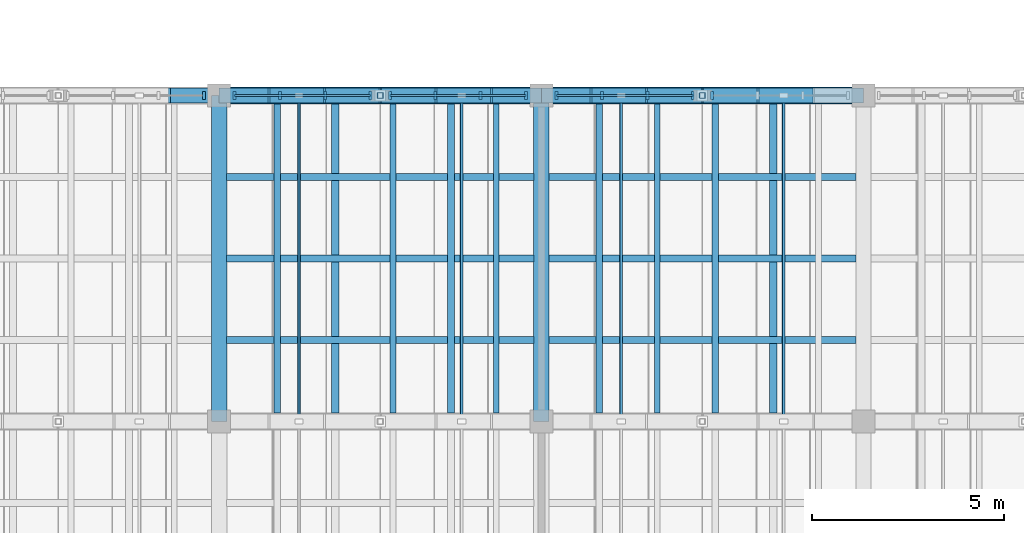
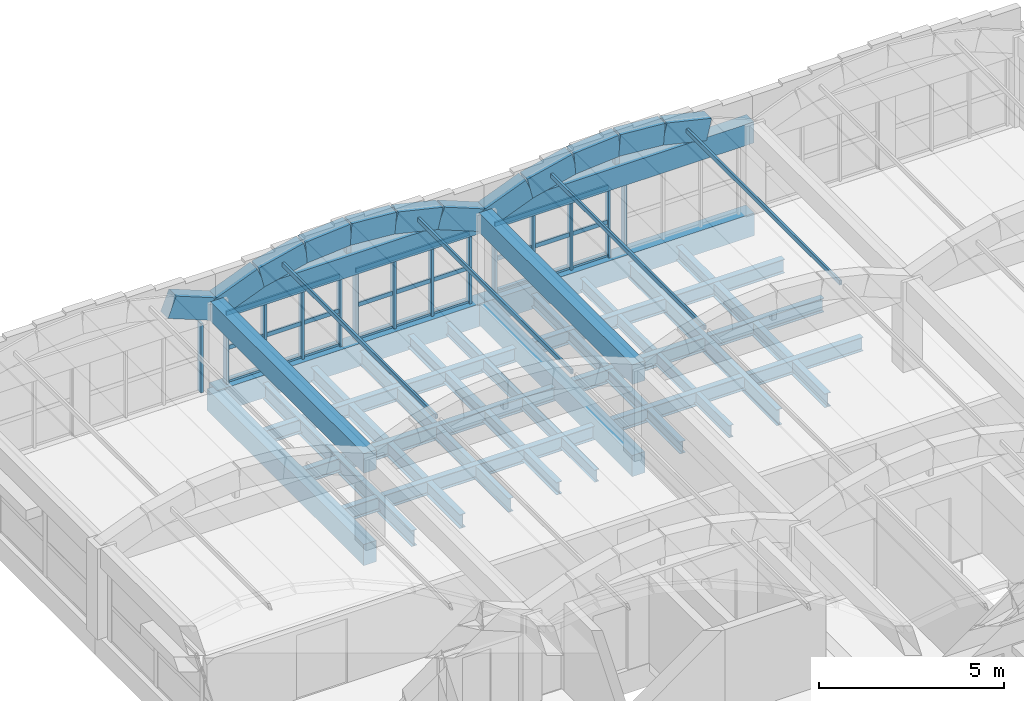
# One storey, part 12 of 40: 41 members, 23 beams, 5 elements without a shape of their own.
"""IFC4 building model written with IfcOpenShell, lengths in metres."""

from ifc_helpers import new_model, si_unit, direction, frame, origin, origin_2d, place, context, subcontext, project, spatial, rectangle, hollow_rectangle, i_section, extrude, material, layer, layer_set, material_profile, profile_set, type_object, element, aggregate, save


model = new_model("IFC4")

# Units and contexts
model_context = context("Model", 3, precision=1e-05, world=origin(), true_north=direction((0.0, 1.0)))
body_context = subcontext(model_context, "Body", "Model", "MODEL_VIEW")
ifc_project = project(units=[si_unit("LENGTHUNIT", "METRE"), si_unit("AREAUNIT", "SQUARE_METRE"), si_unit("VOLUMEUNIT", "CUBIC_METRE"), si_unit("PLANEANGLEUNIT", "RADIAN"), si_unit("MASSUNIT", "GRAM", prefix="KILO")], contexts=[model_context])

# Site, building, storey
site_placement = place(None, origin())
site = spatial("IfcSite", under=ifc_project, at=site_placement, CompositionType="ELEMENT")
building_placement = place(site_placement, origin())
building = spatial("IfcBuilding", under=site, at=building_placement, Name="Trellovar Central Fire Station", CompositionType="ELEMENT")
storey_placement = place(building_placement, frame((0.0, 0.0, 12.75)))
storey = spatial("IfcBuildingStorey", under=building, at=storey_placement, Name="L04", CompositionType="ELEMENT", Elevation=12.75)

# Beams
ifc_material_1 = material(Name="Concrete C40/50", Category="concrete")
ifc_material_profile_1 = material_profile(ifc_material_1, rectangle(XDim=0.449951171875, YDim=0.75, at=origin_2d()), Name="RC450X750")
ifc_profile_set_1 = profile_set([ifc_material_profile_1], Name="Concrete C40/50")
beam_type_1 = type_object("IfcBeamType", Name="BM-G2", PredefinedType="BEAM", material=ifc_profile_set_1)
beam_1_placement = place(storey_placement, frame((113.89990234375, 33.0, -0.375), z_axis=(1.0, 0.0, 0.0), x_axis=(0.0, 1.0, 0.0)))
element("IfcBeam", 1, at=beam_1_placement, inside=storey, type_object=beam_type_1, Name="L04 beam G-2", PredefinedType="BEAM", context=body_context, shape_type="SweptSolid", body=[
    extrude(rectangle(XDim=0.449951171875, YDim=0.75, at=origin_2d()), origin(), (0.0, 0.0, 1.0), 8.400146484375),
])
beam_2_placement = place(storey_placement, frame((122.300048828125, 33.0, -0.375), z_axis=(1.0, 0.0, 0.0), x_axis=(0.0, 1.0, 0.0)))
element("IfcBeam", 2, at=beam_2_placement, inside=storey, type_object=beam_type_1, Name="L04 beam G-2", PredefinedType="BEAM", context=body_context, shape_type="SweptSolid", body=[
    extrude(rectangle(XDim=0.449951171875, YDim=0.75, at=origin_2d()), origin(), (0.0, 0.0, 1.0), 8.39990234375),
])
ifc_material_2 = material(Name="Concrete C40/50", Category="concrete")
ifc_material_profile_2 = material_profile(ifc_material_2, rectangle(XDim=0.39990234375, YDim=0.699951171875, at=origin_2d()), Name="RC400X700")
ifc_profile_set_2 = profile_set([ifc_material_profile_2], Name="Concrete C40/50")
beam_type_2 = type_object("IfcBeamType", Name="BM-G3", PredefinedType="BEAM", material=ifc_profile_set_2)
for number, where, z_axis, x_axis, name in (
    (3, (113.89990234375, 24.5, -0.35009765625), (0.0, 1.0, 0.0), (-1.0, 0.0, 0.0), "L04 beam G-3"),
    (4, (122.300048828125, 24.5, -0.35009765625), (0.0, 1.0, 0.0), (-1.0, 0.0, 0.0), "L04 beam G-3"),
):
    element("IfcBeam", number, at=place(storey_placement, frame(where, z_axis=z_axis, x_axis=x_axis)), inside=storey, type_object=beam_type_2, Name=name, PredefinedType="BEAM", context=body_context, shape_type="SweptSolid", body=[
        extrude(rectangle(XDim=0.39990234375, YDim=0.699951171875, at=origin_2d()), origin(), (0.0, 0.0, 1.0), 8.5),
    ])
beam_3_placement = place(storey_placement, frame((113.89990234375, 33.0, 2.64990234375), z_axis=(1.0, 0.0, 0.0), x_axis=(0.0, 1.0, 0.0)))
element("IfcBeam", 5, at=beam_3_placement, inside=storey, type_object=beam_type_2, Name="L04 beam G-3", PredefinedType="BEAM", context=body_context, shape_type="SweptSolid", body=[
    extrude(rectangle(XDim=0.39990234375, YDim=0.699951171875, at=origin_2d()), origin(), (0.0, 0.0, 1.0), 8.400146484375),
])
beam_4_placement = place(storey_placement, frame((122.300048828125, 33.0, 2.64990234375), z_axis=(1.0, 0.0, 0.0), x_axis=(0.0, 1.0, 0.0)))
element("IfcBeam", 6, at=beam_4_placement, inside=storey, type_object=beam_type_2, Name="L04 beam G-3", PredefinedType="BEAM", context=body_context, shape_type="SweptSolid", body=[
    extrude(rectangle(XDim=0.39990234375, YDim=0.699951171875, at=origin_2d()), origin(), (0.0, 0.0, 1.0), 8.39990234375),
])
ifc_material_3 = material(Name="Concrete C40/50", Category="concrete")
ifc_material_profile_3 = material_profile(ifc_material_3, rectangle(XDim=0.39990234375, YDim=0.64990234375, at=origin_2d()), Name="RC400X650")
ifc_profile_set_3 = profile_set([ifc_material_profile_3], Name="Concrete C40/50")
beam_type_3 = type_object("IfcBeamType", Name="BM-G4", PredefinedType="BEAM", material=ifc_profile_set_3)
for number, where, z_axis, x_axis, name in (
    (7, (113.89990234375, 24.5, 2.675048828125), (0.0, 1.0, 0.0), (-1.0, 0.0, 0.0), "L04 beam G-4"),
    (8, (122.300048828125, 24.5, 2.675048828125), (0.0, 1.0, 0.0), (-1.0, 0.0, 0.0), "L04 beam G-4"),
):
    element("IfcBeam", number, at=place(storey_placement, frame(where, z_axis=z_axis, x_axis=x_axis)), inside=storey, type_object=beam_type_3, Name=name, PredefinedType="BEAM", context=body_context, shape_type="SweptSolid", body=[
        extrude(rectangle(XDim=0.39990234375, YDim=0.64990234375, at=origin_2d()), origin(), (0.0, 0.0, 1.0), 8.5),
    ])
ifc_material_4 = material(Name="Steel ASTM A992 Grade 50", Category="steel")
ifc_material_profile_4 = material_profile(ifc_material_4, i_section(OverallWidth=0.15283203125, OverallDepth=0.45458984375, WebThickness=0.008056640625, FlangeThickness=0.01318359375, FilletRadius=0.0126953125, at=origin_2d()), Name="W18X40")
ifc_profile_set_4 = profile_set([ifc_material_profile_4], Name="Steel ASTM A992 Grade 50")
beam_type_4 = type_object("IfcBeamType", Name="BM-SW10", PredefinedType="JOIST", material=ifc_profile_set_4)
beam_5_placement = place(storey_placement, frame((118.43603515625, 24.719970703125, -0.477294921875), z_axis=(0.0, 1.0, 0.0), x_axis=(-1.0, 0.0, 0.0)))
element("IfcBeam", 9, at=beam_5_placement, inside=storey, type_object=beam_type_4, Name="L04 secondary steel deck joist", PredefinedType="JOIST", context=body_context, shape_type="SweptSolid", body=[
    extrude(i_section(OverallWidth=0.15283203125, OverallDepth=0.45458984375, WebThickness=0.008056640625, FlangeThickness=0.01318359375, FilletRadius=0.0126953125, at=origin_2d()), origin(), (0.0, 0.0, 1.0), 8.06005859375),
])
ifc_material_5 = material(Name="Steel ASTM A992 Grade 50", Category="steel")
ifc_material_profile_5 = material_profile(ifc_material_5, i_section(OverallWidth=0.177490234375, OverallDepth=0.40380859375, WebThickness=0.007568359375, FlangeThickness=0.010986328125, FilletRadius=0.011474609375, at=origin_2d()), Name="W16X36")
ifc_profile_set_5 = profile_set([ifc_material_profile_5], Name="Steel ASTM A992 Grade 50")
beam_type_5 = type_object("IfcBeamType", Name="BM-SW11", PredefinedType="JOIST", material=ifc_profile_set_5)
for number, where, z_axis, x_axis, name in (
    (10, (119.947998046875, 24.719970703125, -0.451904296875), (0.0, 1.0, 0.0), (-1.0, 0.0, 0.0), "L04 secondary steel deck joist"),
    (11, (123.81201171875, 24.719970703125, -0.451904296875), (0.0, 1.0, 0.0), (-1.0, 0.0, 0.0), "L04 secondary steel deck joist"),
):
    element("IfcBeam", number, at=place(storey_placement, frame(where, z_axis=z_axis, x_axis=x_axis)), inside=storey, type_object=beam_type_5, Name=name, PredefinedType="JOIST", context=body_context, shape_type="SweptSolid", body=[
        extrude(i_section(OverallWidth=0.177490234375, OverallDepth=0.40380859375, WebThickness=0.007568359375, FlangeThickness=0.010986328125, FilletRadius=0.011474609375, at=origin_2d()), origin(), (0.0, 0.0, 1.0), 8.06005859375),
    ])
ifc_material_6 = material(Name="Steel ASTM A992 Grade 50", Category="steel")
ifc_material_profile_6 = material_profile(ifc_material_6, i_section(OverallWidth=0.140380859375, OverallDepth=0.4033203125, WebThickness=0.007080078125, FlangeThickness=0.01123046875, FilletRadius=0.011474609375, at=origin_2d()), Name="W16X31")
ifc_profile_set_6 = profile_set([ifc_material_profile_6], Name="Steel ASTM A992 Grade 50")
beam_type_6 = type_object("IfcBeamType", Name="BM-SW12", PredefinedType="JOIST", material=ifc_profile_set_6)
for number, where, z_axis, x_axis, name in (
    (12, (121.1240234375, 24.719970703125, -0.45166015625), (0.0, 1.0, 0.0), (-1.0, 0.0, 0.0), "L04 secondary steel deck joist"),
    (13, (125.323974609375, 24.719970703125, -0.45166015625), (0.0, 1.0, 0.0), (-1.0, 0.0, 0.0), "L04 secondary steel deck joist"),
):
    element("IfcBeam", number, at=place(storey_placement, frame(where, z_axis=z_axis, x_axis=x_axis)), inside=storey, type_object=beam_type_6, Name=name, PredefinedType="JOIST", context=body_context, shape_type="SweptSolid", body=[
        extrude(i_section(OverallWidth=0.140380859375, OverallDepth=0.4033203125, WebThickness=0.007080078125, FlangeThickness=0.01123046875, FilletRadius=0.011474609375, at=origin_2d()), origin(), (0.0, 0.0, 1.0), 8.06005859375),
    ])
ifc_material_7 = material(Name="Steel ASTM A992 Grade 50", Category="steel")
ifc_material_profile_7 = material_profile(ifc_material_7, i_section(OverallWidth=0.166015625, OverallDepth=0.529052734375, WebThickness=0.009765625, FlangeThickness=0.013671875, FilletRadius=0.013916015625, at=origin_2d()), Name="W21X50")
ifc_profile_set_7 = profile_set([ifc_material_profile_7], Name="Steel ASTM A992 Grade 50")
beam_type_7 = type_object("IfcBeamType", Name="BM-SW8", PredefinedType="JOIST", material=ifc_profile_set_7)
for number, where, z_axis, x_axis, name in (
    (14, (115.412109375, 24.719970703125, -0.514404296875), (0.0, 1.0, 0.0), (-1.0, 0.0, 0.0), "L04 secondary steel deck joist"),
    (15, (126.8359375, 24.719970703125, -0.514404296875), (0.0, 1.0, 0.0), (-1.0, 0.0, 0.0), "L04 secondary steel deck joist"),
):
    element("IfcBeam", number, at=place(storey_placement, frame(where, z_axis=z_axis, x_axis=x_axis)), inside=storey, type_object=beam_type_7, Name=name, PredefinedType="JOIST", context=body_context, shape_type="SweptSolid", body=[
        extrude(i_section(OverallWidth=0.166015625, OverallDepth=0.529052734375, WebThickness=0.009765625, FlangeThickness=0.013671875, FilletRadius=0.013916015625, at=origin_2d()), origin(), (0.0, 0.0, 1.0), 8.06005859375),
    ])
ifc_material_8 = material(Name="Steel ASTM A992 Grade 50", Category="steel")
ifc_material_profile_8 = material_profile(ifc_material_8, i_section(OverallWidth=0.1904296875, OverallDepth=0.457275390625, WebThickness=0.009033203125, FlangeThickness=0.014404296875, FilletRadius=0.0126953125, at=origin_2d()), Name="W18X50")
ifc_profile_set_8 = profile_set([ifc_material_profile_8], Name="Steel ASTM A992 Grade 50")
beam_type_8 = type_object("IfcBeamType", Name="BM-SW9", PredefinedType="JOIST", material=ifc_profile_set_8)
for number, where, z_axis, x_axis, name in (
    (16, (114.094970703125, 26.625, -0.478515625), (1.0, 0.0, 0.0), (0.0, 1.0, 0.0), "L04 beam SB-9"),
    (17, (114.094970703125, 28.75, -0.478515625), (1.0, 0.0, 0.0), (0.0, 1.0, 0.0), "L04 beam SB-9"),
    (18, (114.094970703125, 30.875, -0.478515625), (1.0, 0.0, 0.0), (0.0, 1.0, 0.0), "L04 beam SB-9"),
):
    element("IfcBeam", number, at=place(storey_placement, frame(where, z_axis=z_axis, x_axis=x_axis)), inside=storey, type_object=beam_type_8, Name=name, PredefinedType="JOIST", context=body_context, shape_type="SweptSolid", body=[
        extrude(i_section(OverallWidth=0.1904296875, OverallDepth=0.457275390625, WebThickness=0.009033203125, FlangeThickness=0.014404296875, FilletRadius=0.0126953125, at=origin_2d()), origin(), (0.0, 0.0, 1.0), 8.010009765625),
    ])
for number, where, z_axis, x_axis, name in (
    (19, (122.4951171875, 26.625, -0.478515625), (1.0, 0.0, 0.0), (0.0, 1.0, 0.0), "L04 beam SB-9"),
    (20, (122.4951171875, 28.75, -0.478515625), (1.0, 0.0, 0.0), (0.0, 1.0, 0.0), "L04 beam SB-9"),
    (21, (122.4951171875, 30.875, -0.478515625), (1.0, 0.0, 0.0), (0.0, 1.0, 0.0), "L04 beam SB-9"),
):
    element("IfcBeam", number, at=place(storey_placement, frame(where, z_axis=z_axis, x_axis=x_axis)), inside=storey, type_object=beam_type_8, Name=name, PredefinedType="JOIST", context=body_context, shape_type="SweptSolid", body=[
        extrude(i_section(OverallWidth=0.1904296875, OverallDepth=0.457275390625, WebThickness=0.009033203125, FlangeThickness=0.014404296875, FilletRadius=0.0126953125, at=origin_2d()), origin(), (0.0, 0.0, 1.0), 8.009765625),
    ])
for number, where, z_axis, x_axis, name in (
    (22, (116.924072265625, 24.719970703125, -0.478515625), (0.0, 1.0, 0.0), (-1.0, 0.0, 0.0), "L04 secondary steel deck joist"),
    (23, (128.347900390625, 24.719970703125, -0.478515625), (0.0, 1.0, 0.0), (-1.0, 0.0, 0.0), "L04 secondary steel deck joist"),
):
    element("IfcBeam", number, at=place(storey_placement, frame(where, z_axis=z_axis, x_axis=x_axis)), inside=storey, type_object=beam_type_8, Name=name, PredefinedType="JOIST", context=body_context, shape_type="SweptSolid", body=[
        extrude(i_section(OverallWidth=0.1904296875, OverallDepth=0.457275390625, WebThickness=0.009033203125, FlangeThickness=0.014404296875, FilletRadius=0.0126953125, at=origin_2d()), origin(), (0.0, 0.0, 1.0), 8.06005859375),
    ])

# Curtain wall, member
ifc_material_9 = material(Name="Thermally broken bronze anodized aluminum", Category="aluminium")
ifc_layer_1 = layer(ifc_material_9, 0.159912109375)
ifc_layer_set_1 = layer_set([ifc_layer_1], Name="Thermally broken bronze anodized aluminum")
curtain_wall_type_1 = type_object("IfcCurtainWallType", Name="CW-09", PredefinedType="NOTDEFINED", material=ifc_layer_set_1)
curtain_wall_1_placement = place(storey_placement, origin())
curtain_wall_1 = element("IfcCurtainWall", 24, at=curtain_wall_1_placement, inside=storey, type_object=curtain_wall_type_1, Name="L04 curtain wall CW-9", PredefinedType="NOTDEFINED")
ifc_material_10 = material(Name="Thermally broken bronze anodized aluminum", Category="aluminium")
ifc_material_profile_9 = material_profile(ifc_material_10, rectangle(XDim=0.074951171875, YDim=0.199951171875, at=origin_2d()), Name="ALU75X200")
ifc_profile_set_9 = profile_set([ifc_material_profile_9], Name="Thermally broken bronze anodized aluminum")
member_type_1 = type_object("IfcMemberType", Name="CWM-1", PredefinedType="MULLION", material=ifc_profile_set_9)
member_1_placement = place(storey_placement, frame((113.5, 33.0, 0.0), z_axis=(0.0, 0.0, 1.0), x_axis=(1.0, 0.0, 0.0)))
member_1 = element("IfcMember", 25, at=member_1_placement, type_object=member_type_1, Name="CW3-L04-0091 mullion 1", PredefinedType="MULLION", context=body_context, shape_type="SweptSolid", body=[
    extrude(rectangle(XDim=0.074951171875, YDim=0.199951171875, at=origin_2d()), origin(), (0.0, 0.0, 1.0), 2.2900390625),
])
aggregate(curtain_wall_1, [member_1])

# Curtain wall, members
curtain_wall_2_placement = place(storey_placement, origin())
curtain_wall_2 = element("IfcCurtainWall", 26, at=curtain_wall_2_placement, inside=storey, type_object=curtain_wall_type_1, Name="L04 curtain wall CW-9", PredefinedType="NOTDEFINED")
member_2_placement = place(storey_placement, frame((121.89990234375, 33.0, 0.0), z_axis=(0.0, 0.0, 1.0), x_axis=(1.0, 0.0, 0.0)))
member_2 = element("IfcMember", 27, at=member_2_placement, type_object=member_type_1, Name="CW3-L04-0093 mullion 1", PredefinedType="MULLION", context=body_context, shape_type="SweptSolid", body=[
    extrude(rectangle(XDim=0.074951171875, YDim=0.199951171875, at=origin_2d()), origin(), (0.0, 0.0, 1.0), 2.2900390625),
])
member_3_placement = place(storey_placement, frame((120.716796875, 33.0, 0.0), z_axis=(0.0, 0.0, 1.0), x_axis=(1.0, 0.0, 0.0)))
member_3 = element("IfcMember", 28, at=member_3_placement, type_object=member_type_1, Name="CW3-L04-0093 mullion 2", PredefinedType="MULLION", context=body_context, shape_type="SweptSolid", body=[
    extrude(rectangle(XDim=0.074951171875, YDim=0.199951171875, at=origin_2d()), origin(), (0.0, 0.0, 1.0), 2.2900390625),
])
member_4_placement = place(storey_placement, frame((119.533203125, 33.0, 0.0), z_axis=(0.0, 0.0, 1.0), x_axis=(1.0, 0.0, 0.0)))
member_4 = element("IfcMember", 29, at=member_4_placement, type_object=member_type_1, Name="CW3-L04-0093 mullion 3", PredefinedType="MULLION", context=body_context, shape_type="SweptSolid", body=[
    extrude(rectangle(XDim=0.074951171875, YDim=0.199951171875, at=origin_2d()), origin(), (0.0, 0.0, 1.0), 2.2900390625),
])
member_5_placement = place(storey_placement, frame((118.35009765625, 33.0, 0.0), z_axis=(0.0, 0.0, 1.0), x_axis=(1.0, 0.0, 0.0)))
member_5 = element("IfcMember", 30, at=member_5_placement, type_object=member_type_1, Name="CW3-L04-0093 mullion 4", PredefinedType="MULLION", context=body_context, shape_type="SweptSolid", body=[
    extrude(rectangle(XDim=0.074951171875, YDim=0.199951171875, at=origin_2d()), origin(), (0.0, 0.0, 1.0), 2.2900390625),
])

ifc_material_11 = material(Name="Thermally broken bronze anodized aluminum", Category="aluminium")
ifc_layer_2 = layer(ifc_material_11, 0.159912109375)
ifc_layer_set_2 = layer_set([ifc_layer_2], Name="Thermally broken bronze anodized aluminum")
curtain_wall_type_2 = type_object("IfcCurtainWallType", Name="CW-10", PredefinedType="NOTDEFINED", material=ifc_layer_set_2)
curtain_wall_3_placement = place(storey_placement, origin())
curtain_wall_3 = element("IfcCurtainWall", 31, at=curtain_wall_3_placement, inside=storey, type_object=curtain_wall_type_2, Name="L04 curtain wall CW-10", PredefinedType="NOTDEFINED")
member_6_placement = place(storey_placement, frame((117.85009765625, 33.0, 0.0), z_axis=(0.0, 0.0, 1.0), x_axis=(1.0, 0.0, 0.0)))
member_6 = element("IfcMember", 32, at=member_6_placement, type_object=member_type_1, Name="CW3-L04-0094 mullion 1", PredefinedType="MULLION", context=body_context, shape_type="SweptSolid", body=[
    extrude(rectangle(XDim=0.074951171875, YDim=0.199951171875, at=origin_2d()), origin(), (0.0, 0.0, 1.0), 2.2900390625),
])
member_7_placement = place(storey_placement, frame((116.666748046875, 33.0, 0.0), z_axis=(0.0, 0.0, 1.0), x_axis=(1.0, 0.0, 0.0)))
member_7 = element("IfcMember", 33, at=member_7_placement, type_object=member_type_1, Name="CW3-L04-0094 mullion 2", PredefinedType="MULLION", context=body_context, shape_type="SweptSolid", body=[
    extrude(rectangle(XDim=0.074951171875, YDim=0.199951171875, at=origin_2d()), origin(), (0.0, 0.0, 1.0), 2.2900390625),
])
member_8_placement = place(storey_placement, frame((115.4833984375, 33.0, 0.0), z_axis=(0.0, 0.0, 1.0), x_axis=(1.0, 0.0, 0.0)))
member_8 = element("IfcMember", 34, at=member_8_placement, type_object=member_type_1, Name="CW3-L04-0094 mullion 3", PredefinedType="MULLION", context=body_context, shape_type="SweptSolid", body=[
    extrude(rectangle(XDim=0.074951171875, YDim=0.199951171875, at=origin_2d()), origin(), (0.0, 0.0, 1.0), 2.2900390625),
])
member_9_placement = place(storey_placement, frame((114.300048828125, 33.0, 0.0), z_axis=(0.0, 0.0, 1.0), x_axis=(1.0, 0.0, 0.0)))
member_9 = element("IfcMember", 35, at=member_9_placement, type_object=member_type_1, Name="CW3-L04-0094 mullion 4", PredefinedType="MULLION", context=body_context, shape_type="SweptSolid", body=[
    extrude(rectangle(XDim=0.074951171875, YDim=0.199951171875, at=origin_2d()), origin(), (0.0, 0.0, 1.0), 2.2900390625),
])

# Curtain wall, member
curtain_wall_4_placement = place(storey_placement, origin())
curtain_wall_4 = element("IfcCurtainWall", 36, at=curtain_wall_4_placement, inside=storey, type_object=curtain_wall_type_1, Name="L04 curtain wall CW-9", PredefinedType="NOTDEFINED")
member_10_placement = place(storey_placement, frame((126.75, 33.0, 0.0), z_axis=(0.0, 0.0, 1.0), x_axis=(1.0, 0.0, 0.0)))
member_10 = element("IfcMember", 37, at=member_10_placement, type_object=member_type_1, Name="CW3-L04-0095 mullion 4", PredefinedType="MULLION", context=body_context, shape_type="SweptSolid", body=[
    extrude(rectangle(XDim=0.074951171875, YDim=0.199951171875, at=origin_2d()), origin(), (0.0, 0.0, 1.0), 2.2900390625),
])
aggregate(curtain_wall_4, [member_10])

# Curtain wall, members
curtain_wall_5_placement = place(storey_placement, origin())
curtain_wall_5 = element("IfcCurtainWall", 38, at=curtain_wall_5_placement, inside=storey, type_object=curtain_wall_type_2, Name="L04 curtain wall CW-10", PredefinedType="NOTDEFINED")
member_11_placement = place(storey_placement, frame((126.25, 33.0, 0.0), z_axis=(0.0, 0.0, 1.0), x_axis=(1.0, 0.0, 0.0)))
member_11 = element("IfcMember", 39, at=member_11_placement, type_object=member_type_1, Name="CW3-L04-0096 mullion 1", PredefinedType="MULLION", context=body_context, shape_type="SweptSolid", body=[
    extrude(rectangle(XDim=0.074951171875, YDim=0.199951171875, at=origin_2d()), origin(), (0.0, 0.0, 1.0), 2.2900390625),
])
member_12_placement = place(storey_placement, frame((125.066650390625, 33.0, 0.0), z_axis=(0.0, 0.0, 1.0), x_axis=(1.0, 0.0, 0.0)))
member_12 = element("IfcMember", 40, at=member_12_placement, type_object=member_type_1, Name="CW3-L04-0096 mullion 2", PredefinedType="MULLION", context=body_context, shape_type="SweptSolid", body=[
    extrude(rectangle(XDim=0.074951171875, YDim=0.199951171875, at=origin_2d()), origin(), (0.0, 0.0, 1.0), 2.2900390625),
])
member_13_placement = place(storey_placement, frame((123.88330078125, 33.0, 0.0), z_axis=(0.0, 0.0, 1.0), x_axis=(1.0, 0.0, 0.0)))
member_13 = element("IfcMember", 41, at=member_13_placement, type_object=member_type_1, Name="CW3-L04-0096 mullion 3", PredefinedType="MULLION", context=body_context, shape_type="SweptSolid", body=[
    extrude(rectangle(XDim=0.074951171875, YDim=0.199951171875, at=origin_2d()), origin(), (0.0, 0.0, 1.0), 2.2900390625),
])
member_14_placement = place(storey_placement, frame((122.699951171875, 33.0, 0.0), z_axis=(0.0, 0.0, 1.0), x_axis=(1.0, 0.0, 0.0)))
member_14 = element("IfcMember", 42, at=member_14_placement, type_object=member_type_1, Name="CW3-L04-0096 mullion 4", PredefinedType="MULLION", context=body_context, shape_type="SweptSolid", body=[
    extrude(rectangle(XDim=0.074951171875, YDim=0.199951171875, at=origin_2d()), origin(), (0.0, 0.0, 1.0), 2.2900390625),
])

# Member
ifc_material_12 = material(Name="Thermally broken bronze anodized aluminum", Category="aluminium")
ifc_material_profile_10 = material_profile(ifc_material_12, rectangle(XDim=0.06005859375, YDim=0.139892578125, at=origin_2d()), Name="ALU60X140")
ifc_profile_set_10 = profile_set([ifc_material_profile_10], Name="Thermally broken bronze anodized aluminum")
member_type_2 = type_object("IfcMemberType", Name="CWT-1", PredefinedType="USERDEFINED", material=ifc_profile_set_10)
member_15_placement = place(storey_placement, frame((121.89990234375, 33.0, 0.0), z_axis=(-1.0, 0.0, 0.0), x_axis=(0.0, -1.0, 0.0)))
member_15 = element("IfcMember", 43, at=member_15_placement, type_object=member_type_2, Name="CW3-L04-0093 transom 1", ObjectType="TRANSOM", PredefinedType="USERDEFINED", context=body_context, shape_type="SweptSolid", body=[
    extrude(rectangle(XDim=0.06005859375, YDim=0.139892578125, at=origin_2d()), origin(), (0.0, 0.0, 1.0), 3.5498046875),
])

member_16_placement = place(storey_placement, frame((121.89990234375, 33.0, 1.14501953125), z_axis=(-1.0, 0.0, 0.0), x_axis=(0.0, -1.0, 0.0)))
member_16 = element("IfcMember", 44, at=member_16_placement, type_object=member_type_2, Name="CW3-L04-0093 transom 2", ObjectType="TRANSOM", PredefinedType="USERDEFINED", context=body_context, shape_type="SweptSolid", body=[
    extrude(rectangle(XDim=0.06005859375, YDim=0.139892578125, at=origin_2d()), origin(), (0.0, 0.0, 1.0), 3.5498046875),
])

member_17_placement = place(storey_placement, frame((121.89990234375, 33.0, 2.2900390625), z_axis=(-1.0, 0.0, 0.0), x_axis=(0.0, -1.0, 0.0)))
member_17 = element("IfcMember", 45, at=member_17_placement, type_object=member_type_2, Name="CW3-L04-0093 transom 3", ObjectType="TRANSOM", PredefinedType="USERDEFINED", context=body_context, shape_type="SweptSolid", body=[
    extrude(rectangle(XDim=0.06005859375, YDim=0.139892578125, at=origin_2d()), origin(), (0.0, 0.0, 1.0), 3.5498046875),
])

aggregate(curtain_wall_2, [member_2, member_3, member_4, member_5, member_15, member_16, member_17])

member_18_placement = place(storey_placement, frame((117.85009765625, 33.0, 0.0), z_axis=(-1.0, 0.0, 0.0), x_axis=(0.0, -1.0, 0.0)))
member_18 = element("IfcMember", 46, at=member_18_placement, type_object=member_type_2, Name="CW3-L04-0094 transom 1", ObjectType="TRANSOM", PredefinedType="USERDEFINED", context=body_context, shape_type="SweptSolid", body=[
    extrude(rectangle(XDim=0.06005859375, YDim=0.139892578125, at=origin_2d()), origin(), (0.0, 0.0, 1.0), 3.550048828125),
])

member_19_placement = place(storey_placement, frame((117.85009765625, 33.0, 1.14501953125), z_axis=(-1.0, 0.0, 0.0), x_axis=(0.0, -1.0, 0.0)))
member_19 = element("IfcMember", 47, at=member_19_placement, type_object=member_type_2, Name="CW3-L04-0094 transom 2", ObjectType="TRANSOM", PredefinedType="USERDEFINED", context=body_context, shape_type="SweptSolid", body=[
    extrude(rectangle(XDim=0.06005859375, YDim=0.139892578125, at=origin_2d()), origin(), (0.0, 0.0, 1.0), 3.550048828125),
])

member_20_placement = place(storey_placement, frame((117.85009765625, 33.0, 2.2900390625), z_axis=(-1.0, 0.0, 0.0), x_axis=(0.0, -1.0, 0.0)))
member_20 = element("IfcMember", 48, at=member_20_placement, type_object=member_type_2, Name="CW3-L04-0094 transom 3", ObjectType="TRANSOM", PredefinedType="USERDEFINED", context=body_context, shape_type="SweptSolid", body=[
    extrude(rectangle(XDim=0.06005859375, YDim=0.139892578125, at=origin_2d()), origin(), (0.0, 0.0, 1.0), 3.550048828125),
])

aggregate(curtain_wall_3, [member_6, member_7, member_8, member_9, member_18, member_19, member_20])

member_21_placement = place(storey_placement, frame((126.25, 33.0, 0.0), z_axis=(-1.0, 0.0, 0.0), x_axis=(0.0, -1.0, 0.0)))
member_21 = element("IfcMember", 49, at=member_21_placement, type_object=member_type_2, Name="CW3-L04-0096 transom 1", ObjectType="TRANSOM", PredefinedType="USERDEFINED", context=body_context, shape_type="SweptSolid", body=[
    extrude(rectangle(XDim=0.06005859375, YDim=0.139892578125, at=origin_2d()), origin(), (0.0, 0.0, 1.0), 3.550048828125),
])

member_22_placement = place(storey_placement, frame((126.25, 33.0, 1.14501953125), z_axis=(-1.0, 0.0, 0.0), x_axis=(0.0, -1.0, 0.0)))
member_22 = element("IfcMember", 50, at=member_22_placement, type_object=member_type_2, Name="CW3-L04-0096 transom 2", ObjectType="TRANSOM", PredefinedType="USERDEFINED", context=body_context, shape_type="SweptSolid", body=[
    extrude(rectangle(XDim=0.06005859375, YDim=0.139892578125, at=origin_2d()), origin(), (0.0, 0.0, 1.0), 3.550048828125),
])

member_23_placement = place(storey_placement, frame((126.25, 33.0, 2.2900390625), z_axis=(-1.0, 0.0, 0.0), x_axis=(0.0, -1.0, 0.0)))
member_23 = element("IfcMember", 51, at=member_23_placement, type_object=member_type_2, Name="CW3-L04-0096 transom 3", ObjectType="TRANSOM", PredefinedType="USERDEFINED", context=body_context, shape_type="SweptSolid", body=[
    extrude(rectangle(XDim=0.06005859375, YDim=0.139892578125, at=origin_2d()), origin(), (0.0, 0.0, 1.0), 3.550048828125),
])

aggregate(curtain_wall_5, [member_11, member_12, member_13, member_14, member_21, member_22, member_23])

# Members
ifc_material_13 = material(Name="Concrete C40/50", Category="concrete")
ifc_material_profile_11 = material_profile(ifc_material_13, rectangle(XDim=0.39990234375, YDim=0.699951171875, at=origin_2d()), Name="RC400X700")
ifc_profile_set_11 = profile_set([ifc_material_profile_11], Name="Concrete C40/50")
member_type_3 = type_object("IfcMemberType", Name="MEM-LR1", PredefinedType="CHORD", material=ifc_profile_set_11)
member_24_placement = place(storey_placement, frame((112.5, 33.0, 3.235595703125), z_axis=(0.929457187308, 0.0, -0.368929989242), x_axis=(0.0, 1.0, 0.0)))
element("IfcMember", 52, at=member_24_placement, inside=storey, type_object=member_type_3, Name="V5 Catalan vault rib 1 chord 6", PredefinedType="CHORD", context=body_context, shape_type="SweptSolid", body=[
    extrude(rectangle(XDim=0.39990234375, YDim=0.699951171875, at=origin_2d()), origin(), (0.0, 0.0, 1.0), 1.506103515625),
])
member_25_placement = place(storey_placement, frame((113.89990234375, 33.0, 2.679931640625), z_axis=(0.929479245072, 0.0, 0.368874413563), x_axis=(0.0, 1.0, 0.0)))
element("IfcMember", 53, at=member_25_placement, inside=storey, type_object=member_type_3, Name="V5 Catalan vault rib 2 chord 1", PredefinedType="CHORD", context=body_context, shape_type="SweptSolid", body=[
    extrude(rectangle(XDim=0.39990234375, YDim=0.699951171875, at=origin_2d()), origin(), (0.0, 0.0, 1.0), 1.50634765625),
])
member_26_placement = place(storey_placement, frame((115.300048828125, 33.0, 3.235595703125), z_axis=(0.972815315724, 0.0, 0.23158229961), x_axis=(0.0, 1.0, 0.0)))
element("IfcMember", 54, at=member_26_placement, inside=storey, type_object=member_type_3, Name="V5 Catalan vault rib 2 chord 2", PredefinedType="CHORD", context=body_context, shape_type="SweptSolid", body=[
    extrude(rectangle(XDim=0.39990234375, YDim=0.699951171875, at=origin_2d()), origin(), (0.0, 0.0, 1.0), 1.43896484375),
])
member_27_placement = place(storey_placement, frame((116.699951171875, 33.0, 3.56884765625), z_axis=(0.996867568235, 0.0, 0.07908888292), x_axis=(0.0, 1.0, 0.0)))
element("IfcMember", 55, at=member_27_placement, inside=storey, type_object=member_type_3, Name="V5 Catalan vault rib 2 chord 3", PredefinedType="CHORD", context=body_context, shape_type="SweptSolid", body=[
    extrude(rectangle(XDim=0.39990234375, YDim=0.699951171875, at=origin_2d()), origin(), (0.0, 0.0, 1.0), 1.404541015625),
])
member_28_placement = place(storey_placement, frame((118.10009765625, 33.0, 3.679931640625), z_axis=(0.996866480688, 0.0, -0.079102589591), x_axis=(0.0, 1.0, 0.0)))
element("IfcMember", 56, at=member_28_placement, inside=storey, type_object=member_type_3, Name="V5 Catalan vault rib 2 chord 4", PredefinedType="CHORD", context=body_context, shape_type="SweptSolid", body=[
    extrude(rectangle(XDim=0.39990234375, YDim=0.699951171875, at=origin_2d()), origin(), (0.0, 0.0, 1.0), 1.404296875),
])
member_29_placement = place(storey_placement, frame((119.5, 33.0, 3.56884765625), z_axis=(0.972815315724, 0.0, -0.23158229961), x_axis=(0.0, 1.0, 0.0)))
element("IfcMember", 57, at=member_29_placement, inside=storey, type_object=member_type_3, Name="V5 Catalan vault rib 2 chord 5", PredefinedType="CHORD", context=body_context, shape_type="SweptSolid", body=[
    extrude(rectangle(XDim=0.39990234375, YDim=0.699951171875, at=origin_2d()), origin(), (0.0, 0.0, 1.0), 1.43896484375),
])
member_30_placement = place(storey_placement, frame((120.89990234375, 33.0, 3.235595703125), z_axis=(0.929479245072, 0.0, -0.368874413563), x_axis=(0.0, 1.0, 0.0)))
element("IfcMember", 58, at=member_30_placement, inside=storey, type_object=member_type_3, Name="V5 Catalan vault rib 2 chord 6", PredefinedType="CHORD", context=body_context, shape_type="SweptSolid", body=[
    extrude(rectangle(XDim=0.39990234375, YDim=0.699951171875, at=origin_2d()), origin(), (0.0, 0.0, 1.0), 1.50634765625),
])
member_31_placement = place(storey_placement, frame((122.300048828125, 33.0, 2.679931640625), z_axis=(0.929457187308, 0.0, 0.368929989242), x_axis=(0.0, 1.0, 0.0)))
element("IfcMember", 59, at=member_31_placement, inside=storey, type_object=member_type_3, Name="V5 Catalan vault rib 3 chord 1", PredefinedType="CHORD", context=body_context, shape_type="SweptSolid", body=[
    extrude(rectangle(XDim=0.39990234375, YDim=0.699951171875, at=origin_2d()), origin(), (0.0, 0.0, 1.0), 1.506103515625),
])
member_32_placement = place(storey_placement, frame((123.699951171875, 33.0, 3.235595703125), z_axis=(0.972824412258, 0.0, 0.231544084173), x_axis=(0.0, 1.0, 0.0)))
element("IfcMember", 60, at=member_32_placement, inside=storey, type_object=member_type_3, Name="V5 Catalan vault rib 3 chord 2", PredefinedType="CHORD", context=body_context, shape_type="SweptSolid", body=[
    extrude(rectangle(XDim=0.39990234375, YDim=0.699951171875, at=origin_2d()), origin(), (0.0, 0.0, 1.0), 1.439208984375),
])
for number, where, z_axis, x_axis, name in (
    (61, (125.10009765625, 33.0, 3.56884765625), (0.996866480688, 0.0, 0.079102589591), (0.0, 1.0, 0.0), "V5 Catalan vault rib 3 chord 3"),
    (62, (126.5, 33.0, 3.679931640625), (0.996866480688, 0.0, -0.079102589591), (0.0, 1.0, 0.0), "V5 Catalan vault rib 3 chord 4"),
):
    element("IfcMember", number, at=place(storey_placement, frame(where, z_axis=z_axis, x_axis=x_axis)), inside=storey, type_object=member_type_3, Name=name, PredefinedType="CHORD", context=body_context, shape_type="SweptSolid", body=[
        extrude(rectangle(XDim=0.39990234375, YDim=0.699951171875, at=origin_2d()), origin(), (0.0, 0.0, 1.0), 1.404296875),
    ])
member_33_placement = place(storey_placement, frame((127.89990234375, 33.0, 3.56884765625), z_axis=(0.972824412258, 0.0, -0.231544084173), x_axis=(0.0, 1.0, 0.0)))
element("IfcMember", 63, at=member_33_placement, inside=storey, type_object=member_type_3, Name="V5 Catalan vault rib 3 chord 5", PredefinedType="CHORD", context=body_context, shape_type="SweptSolid", body=[
    extrude(rectangle(XDim=0.39990234375, YDim=0.699951171875, at=origin_2d()), origin(), (0.0, 0.0, 1.0), 1.439208984375),
])
ifc_material_14 = material(Name="Steel ASTM A500 Grade C", Category="steel")
ifc_material_profile_12 = material_profile(ifc_material_14, hollow_rectangle(XDim=0.076171875, YDim=0.15234375, WallThickness=0.005859375, InnerFilletRadius=0.005859375, OuterFilletRadius=0.01171875, at=origin_2d()), Name="HSS6X3X1/4")
ifc_profile_set_12 = profile_set([ifc_material_profile_12], Name="Steel ASTM A500 Grade C")
member_type_4 = type_object("IfcMemberType", Name="MEM-PU2", PredefinedType="PURLIN", material=ifc_profile_set_12)
for number, where, z_axis, x_axis, name in (
    (64, (115.980224609375, 24.5, 3.4375), (0.0, 1.0, 0.0), (-1.0, 0.0, 0.0), "V5 vault purlin 2-2"),
    (65, (120.2197265625, 24.5, 3.4375), (0.0, 1.0, 0.0), (-1.0, 0.0, 0.0), "V5 vault purlin 2-5"),
    (66, (124.38037109375, 24.5, 3.4375), (0.0, 1.0, 0.0), (-1.0, 0.0, 0.0), "V5 vault purlin 3-2"),
    (67, (128.61962890625, 24.5, 3.4375), (0.0, 1.0, 0.0), (-1.0, 0.0, 0.0), "V5 vault purlin 3-5"),
):
    element("IfcMember", number, at=place(storey_placement, frame(where, z_axis=z_axis, x_axis=x_axis)), inside=storey, type_object=member_type_4, Name=name, PredefinedType="PURLIN", context=body_context, shape_type="SweptSolid", body=[
        extrude(hollow_rectangle(XDim=0.076171875, YDim=0.15234375, WallThickness=0.005859375, InnerFilletRadius=0.005859375, OuterFilletRadius=0.01171875, at=origin_2d()), origin(), (0.0, 0.0, 1.0), 8.5),
    ])
ifc_material_15 = material(Name="Steel ASTM A500 Grade C", Category="steel")
ifc_material_profile_13 = material_profile(ifc_material_15, hollow_rectangle(XDim=0.15234375, YDim=0.15234375, WallThickness=0.0087890625, InnerFilletRadius=0.0087890625, OuterFilletRadius=0.017822265625, at=origin_2d()), Name="HSS6X6X3/8")
ifc_profile_set_13 = profile_set([ifc_material_profile_13], Name="Steel ASTM A500 Grade C")
member_type_5 = type_object("IfcMemberType", Name="MEM-ST1", PredefinedType="STRUT", material=ifc_profile_set_13)
for number, where, z_axis, x_axis, name in (
    (68, (118.10009765625, 33.0, 2.699951171875), (0.0, 0.0, 1.0), (1.0, 0.0, 0.0), "V5 Catalan vault apex post 2"),
    (69, (126.5, 33.0, 2.699951171875), (0.0, 0.0, 1.0), (1.0, 0.0, 0.0), "V5 Catalan vault apex post 3"),
):
    element("IfcMember", number, at=place(storey_placement, frame(where, z_axis=z_axis, x_axis=x_axis)), inside=storey, type_object=member_type_5, Name=name, PredefinedType="STRUT", context=body_context, shape_type="SweptSolid", body=[
        extrude(hollow_rectangle(XDim=0.15234375, YDim=0.15234375, WallThickness=0.0087890625, InnerFilletRadius=0.0087890625, OuterFilletRadius=0.017822265625, at=origin_2d()), origin(), (0.0, 0.0, 1.0), 0.97998046875),
    ])

save(model, "model.ifc")
